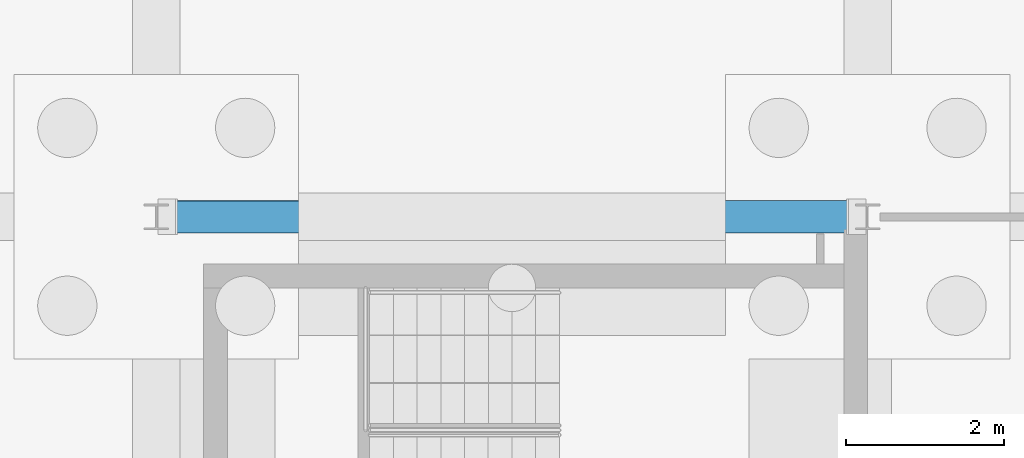
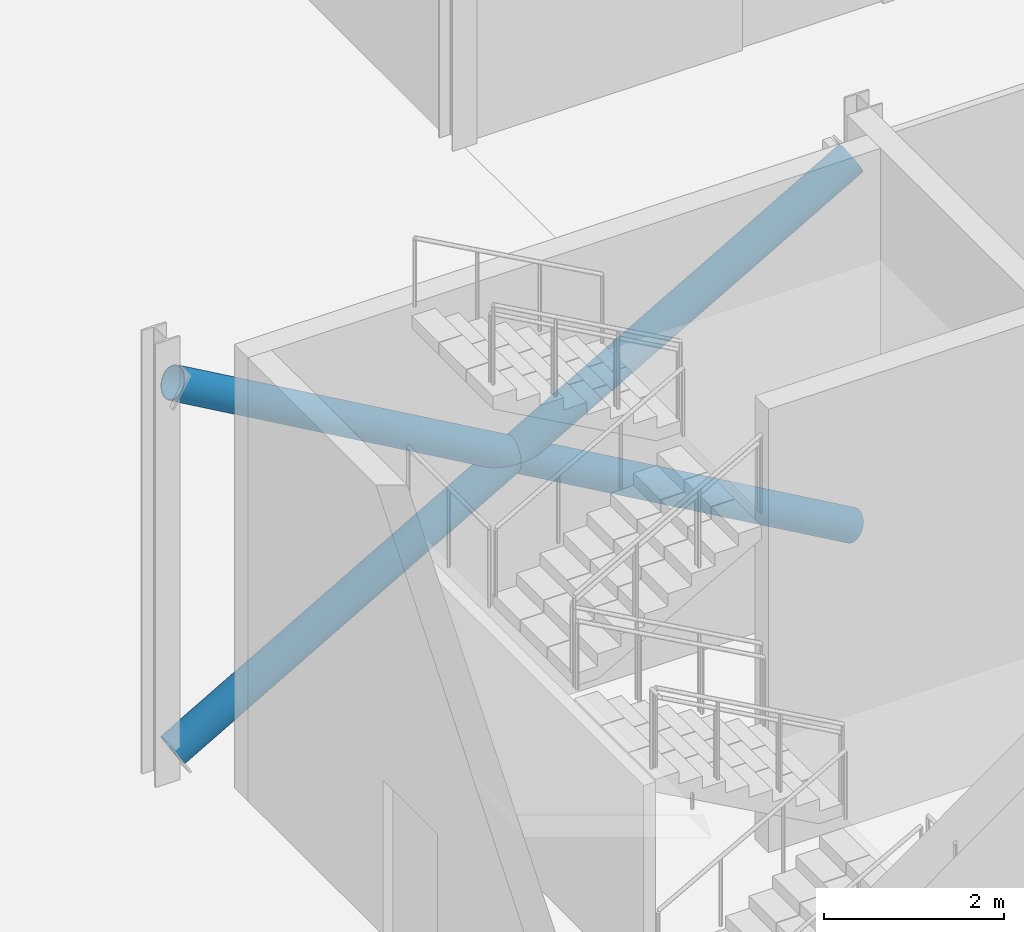
# One storey, part 61 of 139: 2 members.
"""IFC4 building model written with IfcOpenShell, lengths in metres."""

import ifcopenshell
import ifcopenshell.guid

model = None  # the IFC model being written
_history = None  # IfcOwnerHistory: only IFC2X3 demands one
_inside = {}  # id of a spatial element -> (the spatial element, [elements in it])
_under = {}  # id of a project, library or spatial element -> (it, [spatial elements below it])
_declared = {}  # id of a project -> (the project, [libraries it declares])
_typed = {}  # id of a type object -> (the type object, [elements of that type])
_made_of = {}  # id of a material, layer set ... -> (it, [elements and type objects made of it])


def new_model(schema):
    """Start an empty IFC model of exactly this schema.

    Asked for "IFC4X3", IfcOpenShell would pick the latest addendum, in which some entities
    have other attributes; the version numbers below select the first issue.
    IFC2X3 requires an IfcOwnerHistory on every rooted entity: one is made here for all.
    """
    global model, _history
    if schema == "IFC4X3":
        model = ifcopenshell.file(schema_version=(4, 3, 0, 0))
    else:
        model = ifcopenshell.file(schema=schema)
    _inside.clear()
    _under.clear()
    _declared.clear()
    _typed.clear()
    _made_of.clear()
    _history = None
    if model.schema == "IFC2X3":
        org = make("IfcOrganization", Name="unknown")
        user = make(
            "IfcPersonAndOrganization",
            ThePerson=make("IfcPerson", FamilyName="unknown"),
            TheOrganization=org,
        )
        app = make(
            "IfcApplication",
            ApplicationDeveloper=org,
            Version="unknown",
            ApplicationFullName="unknown",
            ApplicationIdentifier="unknown",
        )
        _history = make(
            "IfcOwnerHistory",
            OwningUser=user,
            OwningApplication=app,
            ChangeAction="ADDED",
            CreationDate=0,
        )
    return model


def make(cls, **values):
    """One entity of the class cls with the attributes given. An attribute that is None is left unset."""
    return model.create_entity(
        cls, **{name: value for name, value in values.items() if value is not None}
    )


def rooted(cls, **values):
    """An entity with a GlobalId (a new one), such as an element, a storey or a relation."""
    return make(cls, GlobalId=ifcopenshell.guid.new(), OwnerHistory=_history, **values)


def si_unit(unit_type, name, prefix=None):
    """IfcSIUnit, for example si_unit("LENGTHUNIT", "METRE", prefix="MILLI")."""
    return make("IfcSIUnit", UnitType=unit_type, Prefix=prefix, Name=name)


def assignment(units):
    """IfcUnitAssignment: the units of a project."""
    return None if units is None else make("IfcUnitAssignment", Units=units)


def point(xyz):
    """IfcCartesianPoint."""
    return None if xyz is None else make("IfcCartesianPoint", Coordinates=xyz)


def direction(xyz):
    """IfcDirection."""
    return None if xyz is None else make("IfcDirection", DirectionRatios=xyz)


def frame(location, z_axis=None, x_axis=None):
    """IfcAxis2Placement3D, a coordinate frame: its origin and axes. An axis left out is left unset."""
    return make(
        "IfcAxis2Placement3D",
        Location=point(location),
        Axis=direction(z_axis),
        RefDirection=direction(x_axis),
    )


def frame_2d(location, x_axis=None):
    """IfcAxis2Placement2D, a coordinate frame in the plane: its origin and x axis."""
    return make(
        "IfcAxis2Placement2D", Location=point(location), RefDirection=direction(x_axis)
    )


def origin():
    """The frame at (0, 0, 0) with its axes left unset."""
    return frame((0.0, 0.0, 0.0))


def origin_2d():
    """The frame at (0, 0) in the plane with its x axis left unset."""
    return frame_2d((0.0, 0.0))


def place(relative_to, where):
    """IfcLocalPlacement: puts the frame where relative to a parent placement (None: the world)."""
    return make(
        "IfcLocalPlacement", PlacementRelTo=relative_to, RelativePlacement=where
    )


def context(
    kind, dimensions, precision=None, world=None, true_north=None, identifier=None
):
    """IfcGeometricRepresentationContext, for example the 3D "Model" context."""
    return make(
        "IfcGeometricRepresentationContext",
        ContextIdentifier=identifier,
        ContextType=kind,
        CoordinateSpaceDimension=dimensions,
        Precision=precision,
        WorldCoordinateSystem=world,
        TrueNorth=true_north,
    )


def subcontext(parent, identifier, kind, view, scale=None):
    """IfcGeometricRepresentationSubContext, for example "Body" below "Model"."""
    return make(
        "IfcGeometricRepresentationSubContext",
        ContextIdentifier=identifier,
        ContextType=kind,
        ParentContext=parent,
        TargetScale=scale,
        TargetView=view,
    )


def project(units=None, contexts=None):
    """IfcProject with its units and contexts."""
    return rooted(
        "IfcProject",
        Name="project",
        RepresentationContexts=contexts,
        UnitsInContext=assignment(units),
    )


def spatial(cls, under=None, at=None, **own):
    """A site, building, storey or space (cls), placed at a placement, below another one or the project."""
    s = rooted(cls, ObjectPlacement=at, **own)
    if under is not None:
        _under.setdefault(under.id(), (under, []))[1].append(s)
    return s


def profile(cls, at=None, kind="AREA", **sizes):
    """A parametric profile (cls). Its sizes go by their IFC names, for example OverallWidth=200.0."""
    return make(cls, ProfileType=kind, Position=at, **sizes)


def hollow_circle(**sizes):
    """IfcCircleHollowProfileDef."""
    return profile("IfcCircleHollowProfileDef", **sizes)


def extrude(swept, where, along, depth):
    """IfcExtrudedAreaSolid: the profile swept, set in the frame where, extruded along a direction by depth."""
    return make(
        "IfcExtrudedAreaSolid",
        SweptArea=swept,
        Position=where,
        ExtrudedDirection=direction(along),
        Depth=depth,
    )


def shape(context_of_items, identifier, shape_type, items):
    """IfcShapeRepresentation: the items that make up one representation, for example the "Body"."""
    return make(
        "IfcShapeRepresentation",
        ContextOfItems=context_of_items,
        RepresentationIdentifier=identifier,
        RepresentationType=shape_type,
        Items=items,
    )


def material(Name=None, Category=None):
    """IfcMaterial."""
    return make("IfcMaterial", Name=Name, Category=Category)


def material_profile(
    of_material, cross_section, Name=None, Category=None, Priority=None
):
    """IfcMaterialProfile: a cross section and its material."""
    return make(
        "IfcMaterialProfile",
        Name=Name,
        Material=of_material,
        Profile=cross_section,
        Priority=Priority,
        Category=Category,
    )


def profile_set(profiles, Name=None, composite=None):
    """IfcMaterialProfileSet."""
    return make(
        "IfcMaterialProfileSet",
        Name=Name,
        MaterialProfiles=profiles,
        CompositeProfile=composite,
    )


def made_of(thing, what):
    """Note that an element or type object is made of a material, layer set ...; save() writes the relation."""
    if what is not None:
        _made_of.setdefault(what.id(), (what, []))[1].append(thing)
    return thing


def type_object(cls, material=None, **own):
    """A type object (cls), such as IfcWallType, which elements share."""
    return made_of(rooted(cls, **own), material)


def element(
    cls,
    number,
    at=None,
    inside=None,
    cuts=None,
    type_object=None,
    material=None,
    context=None,
    identifier="Body",
    shape_type=None,
    held_by="IfcProductDefinitionShape",
    body=None,
    shapes=None,
    **own,
):
    """One element of the class cls, such as IfcWall. Its Tag is "e" and its number.

    at: its placement. inside: the storey or other place that contains it. cuts: it is an
    opening in that element (IfcRelVoidsElement). A single representation is given by context,
    identifier, shape_type and body (its items); several are given by shapes. held_by: the class
    of the entity that holds the representations. save() writes the other relations.
    """
    e = rooted(cls, Tag="e%d" % number, ObjectPlacement=at, **own)
    if body is not None:
        shapes = [shape(context, identifier, shape_type, body)]
    if shapes is not None:
        e.Representation = make(held_by, Representations=shapes)
    if inside is not None:
        _inside.setdefault(inside.id(), (inside, []))[1].append(e)
    if cuts is not None:
        rooted(
            "IfcRelVoidsElement", RelatingBuildingElement=cuts, RelatedOpeningElement=e
        )
    if type_object is not None:
        _typed.setdefault(type_object.id(), (type_object, []))[1].append(e)
    return made_of(e, material)


def aggregate(whole, parts):
    """IfcRelAggregates: a whole, such as a stair, and the parts it consists of."""
    return rooted("IfcRelAggregates", RelatingObject=whole, RelatedObjects=parts)


def save(model, path):
    """Write the relations noted so far, then the file.

    IfcRelAggregates (storeys below a building ...), IfcRelContainedInSpatialStructure (elements
    in a storey), IfcRelDefinesByType, IfcRelAssociatesMaterial and IfcRelDeclares: one each for
    every whole, place, type object, material and project.
    """
    for whole, parts in _under.values():
        aggregate(whole, parts)
    for where, things in _inside.values():
        rooted(
            "IfcRelContainedInSpatialStructure",
            RelatedElements=things,
            RelatingStructure=where,
        )
    for kind, things in _typed.values():
        rooted("IfcRelDefinesByType", RelatedObjects=things, RelatingType=kind)
    for what, things in _made_of.values():
        rooted("IfcRelAssociatesMaterial", RelatedObjects=things, RelatingMaterial=what)
    for by, libraries in _declared.values():
        rooted("IfcRelDeclares", RelatingContext=by, RelatedDefinitions=libraries)
    model.write(path)


model = new_model("IFC4")

# Units and contexts
model_context = context("Model", 3, precision=1e-05, world=origin(), true_north=direction((0.0, 1.0)))
body_context = subcontext(model_context, "Body", "Model", "MODEL_VIEW")
ifc_project = project(units=[si_unit("LENGTHUNIT", "METRE"), si_unit("AREAUNIT", "SQUARE_METRE"), si_unit("VOLUMEUNIT", "CUBIC_METRE"), si_unit("PLANEANGLEUNIT", "RADIAN"), si_unit("MASSUNIT", "GRAM", prefix="KILO")], contexts=[model_context])

# Site, building, storey
site_placement = place(None, origin())
site = spatial("IfcSite", under=ifc_project, at=site_placement, CompositionType="ELEMENT")
building_placement = place(site_placement, origin())
building = spatial("IfcBuilding", under=site, at=building_placement, Name="Shorebreak Coast Museum", CompositionType="ELEMENT")
storey_placement = place(building_placement, origin())
storey = spatial("IfcBuildingStorey", under=building, at=storey_placement, Name="L00", CompositionType="ELEMENT", Elevation=0.0)

# Members
ifc_material = material(Name="Steel Grade C350L0", Category="steel")
ifc_material_profile = material_profile(ifc_material, hollow_circle(Radius=0.203125, WallThickness=0.0126953125, at=origin_2d()), Name="406.4x12.7 CHS")
ifc_profile_set = profile_set([ifc_material_profile], Name="Steel Grade C350L0")
member_type = type_object("IfcMemberType", Name="X-brace 406.4x12.7 CHS", PredefinedType="BRACE", material=ifc_profile_set)
for number, where, z_axis, x_axis, name in (
    (1, (108.155517578125, 63.0, 0.300048828125), (0.86784825632, 0.0, 0.496829350987), (0.0, 1.0, 0.0), "X-brace bay 02 L00 diagonal 1"),
    (2, (116.845458984375, 63.0, 0.300048828125), (-0.86784825632, 0.0, 0.496829350987), (0.0, -1.0, 0.0), "X-brace bay 02 L00 diagonal 2"),
):
    element("IfcMember", number, at=place(storey_placement, frame(where, z_axis=z_axis, x_axis=x_axis)), inside=storey, type_object=member_type, Name=name, PredefinedType="BRACE", context=body_context, shape_type="SweptSolid", body=[
        extrude(hollow_circle(Radius=0.203125, WallThickness=0.0126953125, at=origin_2d()), origin(), (0.0, 0.0, 1.0), 10.01318359375),
    ])

save(model, "model.ifc")
